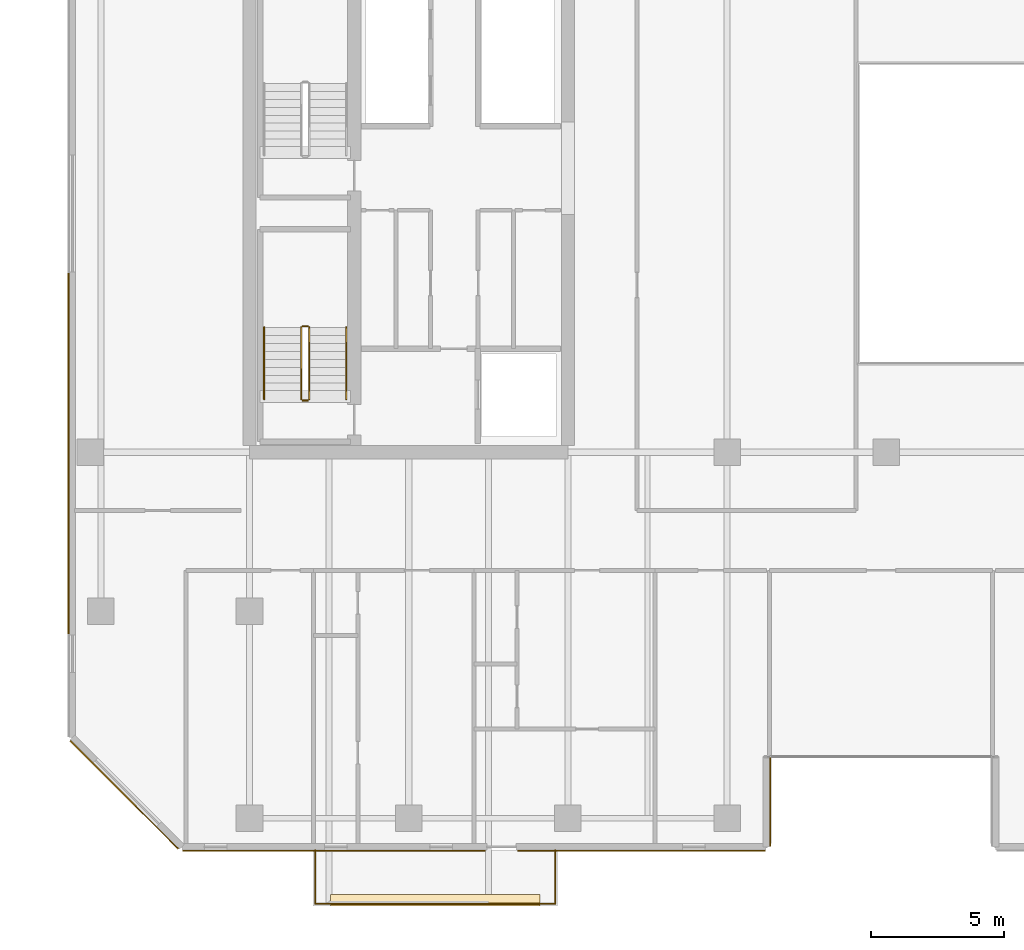
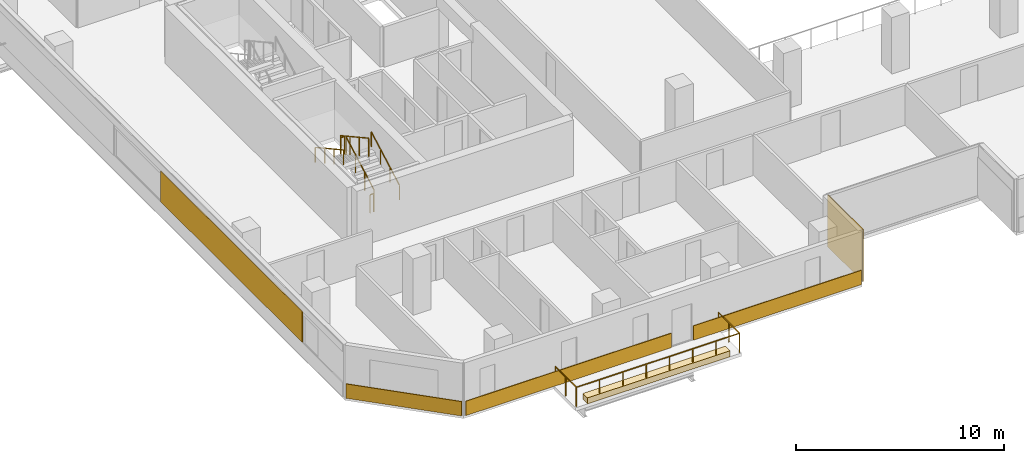
# One storey, part 18 of 23: 7 railings, 6 coverings.
"""IFC4 building model written with IfcOpenShell, lengths in metres."""

import ifcopenshell
import ifcopenshell.guid

model = None  # the IFC model being written
_history = None  # IfcOwnerHistory: only IFC2X3 demands one
_inside = {}  # id of a spatial element -> (the spatial element, [elements in it])
_under = {}  # id of a project, library or spatial element -> (it, [spatial elements below it])
_declared = {}  # id of a project -> (the project, [libraries it declares])
_typed = {}  # id of a type object -> (the type object, [elements of that type])
_made_of = {}  # id of a material, layer set ... -> (it, [elements and type objects made of it])


def new_model(schema):
    """Start an empty IFC model of exactly this schema.

    Asked for "IFC4X3", IfcOpenShell would pick the latest addendum, in which some entities
    have other attributes; the version numbers below select the first issue.
    IFC2X3 requires an IfcOwnerHistory on every rooted entity: one is made here for all.
    """
    global model, _history
    if schema == "IFC4X3":
        model = ifcopenshell.file(schema_version=(4, 3, 0, 0))
    else:
        model = ifcopenshell.file(schema=schema)
    _inside.clear()
    _under.clear()
    _declared.clear()
    _typed.clear()
    _made_of.clear()
    _history = None
    if model.schema == "IFC2X3":
        org = make("IfcOrganization", Name="unknown")
        user = make(
            "IfcPersonAndOrganization",
            ThePerson=make("IfcPerson", FamilyName="unknown"),
            TheOrganization=org,
        )
        app = make(
            "IfcApplication",
            ApplicationDeveloper=org,
            Version="unknown",
            ApplicationFullName="unknown",
            ApplicationIdentifier="unknown",
        )
        _history = make(
            "IfcOwnerHistory",
            OwningUser=user,
            OwningApplication=app,
            ChangeAction="ADDED",
            CreationDate=0,
        )
    return model


def make(cls, **values):
    """One entity of the class cls with the attributes given. An attribute that is None is left unset."""
    return model.create_entity(
        cls, **{name: value for name, value in values.items() if value is not None}
    )


def rooted(cls, **values):
    """An entity with a GlobalId (a new one), such as an element, a storey or a relation."""
    return make(cls, GlobalId=ifcopenshell.guid.new(), OwnerHistory=_history, **values)


def si_unit(unit_type, name, prefix=None):
    """IfcSIUnit, for example si_unit("LENGTHUNIT", "METRE", prefix="MILLI")."""
    return make("IfcSIUnit", UnitType=unit_type, Prefix=prefix, Name=name)


def assignment(units):
    """IfcUnitAssignment: the units of a project."""
    return None if units is None else make("IfcUnitAssignment", Units=units)


def point(xyz):
    """IfcCartesianPoint."""
    return None if xyz is None else make("IfcCartesianPoint", Coordinates=xyz)


def direction(xyz):
    """IfcDirection."""
    return None if xyz is None else make("IfcDirection", DirectionRatios=xyz)


def frame(location, z_axis=None, x_axis=None):
    """IfcAxis2Placement3D, a coordinate frame: its origin and axes. An axis left out is left unset."""
    return make(
        "IfcAxis2Placement3D",
        Location=point(location),
        Axis=direction(z_axis),
        RefDirection=direction(x_axis),
    )


def frame_2d(location, x_axis=None):
    """IfcAxis2Placement2D, a coordinate frame in the plane: its origin and x axis."""
    return make(
        "IfcAxis2Placement2D", Location=point(location), RefDirection=direction(x_axis)
    )


def origin():
    """The frame at (0, 0, 0) with its axes left unset."""
    return frame((0.0, 0.0, 0.0))


def origin_2d():
    """The frame at (0, 0) in the plane with its x axis left unset."""
    return frame_2d((0.0, 0.0))


def place(relative_to, where):
    """IfcLocalPlacement: puts the frame where relative to a parent placement (None: the world)."""
    return make(
        "IfcLocalPlacement", PlacementRelTo=relative_to, RelativePlacement=where
    )


def context(
    kind, dimensions, precision=None, world=None, true_north=None, identifier=None
):
    """IfcGeometricRepresentationContext, for example the 3D "Model" context."""
    return make(
        "IfcGeometricRepresentationContext",
        ContextIdentifier=identifier,
        ContextType=kind,
        CoordinateSpaceDimension=dimensions,
        Precision=precision,
        WorldCoordinateSystem=world,
        TrueNorth=true_north,
    )


def subcontext(parent, identifier, kind, view, scale=None):
    """IfcGeometricRepresentationSubContext, for example "Body" below "Model"."""
    return make(
        "IfcGeometricRepresentationSubContext",
        ContextIdentifier=identifier,
        ContextType=kind,
        ParentContext=parent,
        TargetScale=scale,
        TargetView=view,
    )


def project(units=None, contexts=None):
    """IfcProject with its units and contexts."""
    return rooted(
        "IfcProject",
        Name="project",
        RepresentationContexts=contexts,
        UnitsInContext=assignment(units),
    )


def spatial(cls, under=None, at=None, **own):
    """A site, building, storey or space (cls), placed at a placement, below another one or the project."""
    s = rooted(cls, ObjectPlacement=at, **own)
    if under is not None:
        _under.setdefault(under.id(), (under, []))[1].append(s)
    return s


def polyline(points):
    """IfcPolyline through the points."""
    return make("IfcPolyline", Points=[point(p) for p in points])


def profile(cls, at=None, kind="AREA", **sizes):
    """A parametric profile (cls). Its sizes go by their IFC names, for example OverallWidth=200.0."""
    return make(cls, ProfileType=kind, Position=at, **sizes)


def rectangle(**sizes):
    """IfcRectangleProfileDef."""
    return profile("IfcRectangleProfileDef", **sizes)


def outline(outer, holes=None, kind="AREA"):
    """IfcArbitraryClosedProfileDef: a profile drawn as a closed curve; with holes, ...WithVoids."""
    if holes is None:
        return make("IfcArbitraryClosedProfileDef", ProfileType=kind, OuterCurve=outer)
    return make(
        "IfcArbitraryProfileDefWithVoids",
        ProfileType=kind,
        OuterCurve=outer,
        InnerCurves=holes,
    )


def extrude(swept, where, along, depth):
    """IfcExtrudedAreaSolid: the profile swept, set in the frame where, extruded along a direction by depth."""
    return make(
        "IfcExtrudedAreaSolid",
        SweptArea=swept,
        Position=where,
        ExtrudedDirection=direction(along),
        Depth=depth,
    )


def shape(context_of_items, identifier, shape_type, items):
    """IfcShapeRepresentation: the items that make up one representation, for example the "Body"."""
    return make(
        "IfcShapeRepresentation",
        ContextOfItems=context_of_items,
        RepresentationIdentifier=identifier,
        RepresentationType=shape_type,
        Items=items,
    )


def material(Name=None, Category=None):
    """IfcMaterial."""
    return make("IfcMaterial", Name=Name, Category=Category)


def layer(
    of_material, thickness, ventilated=None, Name=None, Category=None, Priority=None
):
    """IfcMaterialLayer: one layer of a wall or slab, of a material (None: an air gap)."""
    return make(
        "IfcMaterialLayer",
        Material=of_material,
        LayerThickness=thickness,
        IsVentilated=ventilated,
        Name=Name,
        Category=Category,
        Priority=Priority,
    )


def layer_set(layers, Name=None):
    """IfcMaterialLayerSet."""
    return make("IfcMaterialLayerSet", MaterialLayers=layers, LayerSetName=Name)


def made_of(thing, what):
    """Note that an element or type object is made of a material, layer set ...; save() writes the relation."""
    if what is not None:
        _made_of.setdefault(what.id(), (what, []))[1].append(thing)
    return thing


def type_object(cls, material=None, **own):
    """A type object (cls), such as IfcWallType, which elements share."""
    return made_of(rooted(cls, **own), material)


def element(
    cls,
    number,
    at=None,
    inside=None,
    cuts=None,
    type_object=None,
    material=None,
    context=None,
    identifier="Body",
    shape_type=None,
    held_by="IfcProductDefinitionShape",
    body=None,
    shapes=None,
    **own,
):
    """One element of the class cls, such as IfcWall. Its Tag is "e" and its number.

    at: its placement. inside: the storey or other place that contains it. cuts: it is an
    opening in that element (IfcRelVoidsElement). A single representation is given by context,
    identifier, shape_type and body (its items); several are given by shapes. held_by: the class
    of the entity that holds the representations. save() writes the other relations.
    """
    e = rooted(cls, Tag="e%d" % number, ObjectPlacement=at, **own)
    if body is not None:
        shapes = [shape(context, identifier, shape_type, body)]
    if shapes is not None:
        e.Representation = make(held_by, Representations=shapes)
    if inside is not None:
        _inside.setdefault(inside.id(), (inside, []))[1].append(e)
    if cuts is not None:
        rooted(
            "IfcRelVoidsElement", RelatingBuildingElement=cuts, RelatedOpeningElement=e
        )
    if type_object is not None:
        _typed.setdefault(type_object.id(), (type_object, []))[1].append(e)
    return made_of(e, material)


def aggregate(whole, parts):
    """IfcRelAggregates: a whole, such as a stair, and the parts it consists of."""
    return rooted("IfcRelAggregates", RelatingObject=whole, RelatedObjects=parts)


def save(model, path):
    """Write the relations noted so far, then the file.

    IfcRelAggregates (storeys below a building ...), IfcRelContainedInSpatialStructure (elements
    in a storey), IfcRelDefinesByType, IfcRelAssociatesMaterial and IfcRelDeclares: one each for
    every whole, place, type object, material and project.
    """
    for whole, parts in _under.values():
        aggregate(whole, parts)
    for where, things in _inside.values():
        rooted(
            "IfcRelContainedInSpatialStructure",
            RelatedElements=things,
            RelatingStructure=where,
        )
    for kind, things in _typed.values():
        rooted("IfcRelDefinesByType", RelatedObjects=things, RelatingType=kind)
    for what, things in _made_of.values():
        rooted("IfcRelAssociatesMaterial", RelatedObjects=things, RelatingMaterial=what)
    for by, libraries in _declared.values():
        rooted("IfcRelDeclares", RelatingContext=by, RelatedDefinitions=libraries)
    model.write(path)


model = new_model("IFC4")

# Units and contexts
model_context = context("Model", 3, precision=1e-05, world=origin(), true_north=direction((0.0, 1.0)))
body_context = subcontext(model_context, "Body", "Model", "MODEL_VIEW")
ifc_project = project(units=[si_unit("LENGTHUNIT", "METRE"), si_unit("AREAUNIT", "SQUARE_METRE"), si_unit("VOLUMEUNIT", "CUBIC_METRE"), si_unit("PLANEANGLEUNIT", "RADIAN"), si_unit("MASSUNIT", "GRAM", prefix="KILO")], contexts=[model_context])

# Site, building, storey
site_placement = place(None, origin())
site = spatial("IfcSite", under=ifc_project, at=site_placement, CompositionType="ELEMENT")
building_placement = place(site_placement, origin())
building = spatial("IfcBuilding", under=site, at=building_placement, Name="Tanjung Sevakor Pilgrim Tower", CompositionType="ELEMENT")
storey_placement = place(building_placement, frame((0.0, 0.0, 88.77001953125)))
storey = spatial("IfcBuildingStorey", under=building, at=storey_placement, Name="L24", CompositionType="ELEMENT", Elevation=88.77001953125)

# Coverings
ifc_material_1 = material(Name="Reconstructed Limestone Cladding", Category="masonry")
ifc_layer_1 = layer(ifc_material_1, 0.044921875)
ifc_layer_set_1 = layer_set([ifc_layer_1], Name="COV-CLAD-LIMESTONE")
covering_type_1 = type_object("IfcCoveringType", Name="COV-CLAD-LIMESTONE", PredefinedType="CLADDING", material=ifc_layer_set_1)
covering_1_placement = place(storey_placement, frame((27.19091796875, 9.577392578125, 0.009765625), z_axis=(0.0, 0.0, 1.0), x_axis=(1.0, 0.0, 0.0)))
element("IfcCovering", 1, at=covering_1_placement, inside=storey, type_object=covering_type_1, Name="L24 Warm Limestone Sill Spandrel EW-L24-MAIN-1-1", PredefinedType="CLADDING", context=body_context, shape_type="SweptSolid", body=[
    extrude(rectangle(XDim=11.398193359375, YDim=0.044921875, at=origin_2d()), origin(), (0.0, 0.0, 1.0), 0.840087890625),
])
covering_2_placement = place(storey_placement, frame((38.7724609375, 9.577392578125, 0.009765625), z_axis=(0.0, 0.0, 1.0), x_axis=(1.0, 0.0, 0.0)))
element("IfcCovering", 2, at=covering_2_placement, inside=storey, type_object=covering_type_1, Name="L24 Warm Limestone Sill Spandrel EW-L24-MAIN-1-2", PredefinedType="CLADDING", context=body_context, shape_type="SweptSolid", body=[
    extrude(rectangle(XDim=9.324951171875, YDim=0.044921875, at=origin_2d()), origin(), (0.0, 0.0, 1.0), 0.840087890625),
])
covering_3_placement = place(storey_placement, frame((43.62255859375, 11.425048828125, 0.02001953125), z_axis=(0.0, 0.0, 1.0), x_axis=(0.0, 1.0, 0.0)))
element("IfcCovering", 3, at=covering_3_placement, inside=storey, type_object=covering_type_1, Name="L24 Warm Limestone Wall Cladding EW-L24-MAIN-2", PredefinedType="CLADDING", context=body_context, shape_type="SweptSolid", body=[
    extrude(rectangle(XDim=3.360107421875, YDim=0.044921875, at=origin_2d()), origin(), (0.0, 0.0, 1.0), 3.0400390625),
])
covering_4_placement = place(storey_placement, frame((17.177490234375, 24.552978515625, 0.849853515625), z_axis=(0.0, 0.0, 1.0), x_axis=(0.0, -1.0, 0.0)))
element("IfcCovering", 4, at=covering_4_placement, inside=storey, type_object=covering_type_1, Name="L24 Warm Limestone Pier Panel EW-L24-MAIN-15-2", PredefinedType="CLADDING", context=body_context, shape_type="SweptSolid", body=[
    extrude(rectangle(XDim=13.593994140625, YDim=0.044921875, at=origin_2d()), origin(), (0.0, 0.0, 1.0), 1.81005859375),
])
covering_5_placement = place(storey_placement, frame((19.2841796875, 11.68408203125, 0.009765625), z_axis=(0.0, 0.0, 1.0), x_axis=(0.707106781187, -0.707106781187, 0.0)))
element("IfcCovering", 5, at=covering_5_placement, inside=storey, type_object=covering_type_1, Name="L24 Warm Limestone Sill Spandrel EW-CHM-L24-MAIN-15-1", PredefinedType="CLADDING", context=body_context, shape_type="SweptSolid", body=[
    extrude(rectangle(XDim=5.756103515625, YDim=0.044921875, at=origin_2d()), origin(), (0.0, 0.0, 1.0), 0.840087890625),
])
ifc_material_2 = material(Name="Vegetated Modular Planter Assembly", Category="organic")
ifc_layer_2 = layer(ifc_material_2, 0.35009765625)
ifc_layer_set_2 = layer_set([ifc_layer_2], Name="COV-GRN-TROUGH")
covering_type_2 = type_object("IfcCoveringType", Name="COV-GRN-TROUGH", PredefinedType="CLADDING", material=ifc_layer_set_2)
covering_6_placement = place(storey_placement, origin())
element("IfcCovering", 6, at=covering_6_placement, inside=storey, type_object=covering_type_2, Name="L24 Planted Landscape Hedge Trough BGRN-L24-MAIN-S1", PredefinedType="CLADDING", context=body_context, shape_type="SweptSolid", body=[
    extrude(outline(polyline([(27.050048828125, 7.5), (34.949951171875, 7.5), (34.949951171875, 7.93994140625), (27.050048828125, 7.93994140625), (27.050048828125, 7.5)])), origin(), (0.0, 0.0, 1.0), 0.35009765625),
])

# Railings
ifc_material_3 = material(Name="Laminated Glass and Aluminium", Category="aluminium")
railing_type_1 = type_object("IfcRailingType", Name="RL-BAL-BALUST", PredefinedType="BALUSTRADE", material=ifc_material_3)
railing_1_placement = place(storey_placement, frame((26.47998046875, 9.60009765625, 0.0)))
element("IfcRailing", 7, at=railing_1_placement, inside=storey, type_object=railing_type_1, Name="L24 Loggia Balustrade MAIN-S1", PredefinedType="BALUSTRADE", context=body_context, shape_type="SweptSolid", body=[
    extrude(rectangle(XDim=0.0479, YDim=0.0479), frame((0.0, 0.0, 1.1259765625), z_axis=(0.0, -1.0, 0.0), x_axis=(1.0, 0.0, 0.0)), (0.0, 0.0, 1.0), 2.02001953125),
    extrude(rectangle(XDim=0.0479, YDim=0.0479), frame((0.0, -2.02001953125, 1.1259765625), z_axis=(1.0, 0.0, 0.0), x_axis=(0.0, 1.0, 0.0)), (0.0, 0.0, 1.0), 9.0400390625),
    extrude(rectangle(XDim=0.0479, YDim=0.0479), frame((9.0400390625, -2.02001953125, 1.1259765625), z_axis=(0.0, 1.0, 0.0), x_axis=(-1.0, 0.0, 0.0)), (0.0, 0.0, 1.0), 2.02001953125),
    extrude(rectangle(XDim=0.042, YDim=0.042), origin(), (0.0, 0.0, 1.0), 1.101806640625),
    extrude(rectangle(XDim=0.042, YDim=0.042), frame((0.0, -1.010009765625, 0.0)), (0.0, 0.0, 1.0), 1.101806640625),
    extrude(rectangle(XDim=0.042, YDim=0.042), frame((0.0, -2.02001953125, 0.0)), (0.0, 0.0, 1.0), 1.101806640625),
    extrude(rectangle(XDim=0.042, YDim=0.042), frame((1.29150390625, -2.02001953125, 0.0)), (0.0, 0.0, 1.0), 1.101806640625),
    extrude(rectangle(XDim=0.042, YDim=0.042), frame((2.582763671875, -2.02001953125, 0.0)), (0.0, 0.0, 1.0), 1.101806640625),
    extrude(rectangle(XDim=0.042, YDim=0.042), frame((3.874267578125, -2.02001953125, 0.0)), (0.0, 0.0, 1.0), 1.101806640625),
    extrude(rectangle(XDim=0.042, YDim=0.042), frame((5.165771484375, -2.02001953125, 0.0)), (0.0, 0.0, 1.0), 1.101806640625),
    extrude(rectangle(XDim=0.042, YDim=0.042), frame((6.457275390625, -2.02001953125, 0.0)), (0.0, 0.0, 1.0), 1.101806640625),
    extrude(rectangle(XDim=0.042, YDim=0.042), frame((7.74853515625, -2.02001953125, 0.0)), (0.0, 0.0, 1.0), 1.101806640625),
    extrude(rectangle(XDim=0.042, YDim=0.042), frame((9.0400390625, -2.02001953125, 0.0)), (0.0, 0.0, 1.0), 1.101806640625),
    extrude(rectangle(XDim=0.042, YDim=0.042), frame((9.0400390625, -1.010009765625, 0.0)), (0.0, 0.0, 1.0), 1.101806640625),
    extrude(rectangle(XDim=0.042, YDim=0.042), frame((9.0400390625, 0.0, 0.0)), (0.0, 0.0, 1.0), 1.101806640625),
])
ifc_material_4 = material(Name="Steel S355J2", Category="steel")
railing_type_2 = type_object("IfcRailingType", Name="RL-STAIR-GUARD", PredefinedType="GUARDRAIL", material=ifc_material_4)
railing_2_placement = place(storey_placement, frame((26.25, 26.60009765625, 0.1650390625)))
element("IfcRailing", 8, at=railing_2_placement, inside=storey, type_object=railing_type_2, Name="L24 TS-W1 stair guard 1", PredefinedType="GUARDRAIL", context=body_context, shape_type="SweptSolid", body=[
    extrude(rectangle(XDim=0.0479, YDim=0.0479), frame((0.0, 0.0, 1.076171875), z_axis=(0.0, 0.876230963923, 0.481891375584), x_axis=(-1.0, 0.0, 0.0)), (0.0, 0.0, 1.0), 3.081298828125),
    extrude(rectangle(XDim=0.042, YDim=0.042), origin(), (0.0, 0.0, 1.0), 1.052001953125),
    extrude(rectangle(XDim=0.042, YDim=0.042), frame((0.0, 0.89990234375, 0.494873046875)), (0.0, 0.0, 1.0), 1.052001953125),
    extrude(rectangle(XDim=0.042, YDim=0.042), frame((0.0, 1.800048828125, 0.989990234375)), (0.0, 0.0, 1.0), 1.052001953125),
    extrude(rectangle(XDim=0.042, YDim=0.042), frame((0.0, 2.699951171875, 1.48486328125)), (0.0, 0.0, 1.0), 1.052001953125),
])
railing_3_placement = place(storey_placement, frame((26.199951171875, 29.35009765625, 1.64990234375)))
element("IfcRailing", 9, at=railing_3_placement, inside=storey, type_object=railing_type_2, Name="L24 TS-W1 stair guard 2", PredefinedType="GUARDRAIL", context=body_context, shape_type="SweptSolid", body=[
    extrude(rectangle(XDim=0.0479, YDim=0.0479), frame((0.0, 0.0, 1.076171875), z_axis=(-1.0, 0.0, 0.0), x_axis=(0.0, -1.0, 0.0)), (0.0, 0.0, 1.0), 0.199951171875),
    extrude(rectangle(XDim=0.042, YDim=0.042), origin(), (0.0, 0.0, 1.0), 1.052001953125),
    extrude(rectangle(XDim=0.042, YDim=0.042), frame((-0.199951171875, 0.0, 0.0)), (0.0, 0.0, 1.0), 1.052001953125),
])
railing_4_placement = place(storey_placement, frame((25.949951171875, 29.300048828125, 1.81494140625)))
element("IfcRailing", 10, at=railing_4_placement, inside=storey, type_object=railing_type_2, Name="L24 TS-W1 stair guard 3", PredefinedType="GUARDRAIL", context=body_context, shape_type="SweptSolid", body=[
    extrude(rectangle(XDim=0.0479, YDim=0.0479), frame((0.0, 0.0, 1.076171875), z_axis=(0.0, -0.876197507361, 0.481952205197), x_axis=(1.0, 0.0, 0.0)), (0.0, 0.0, 1.0), 3.08154296875),
    extrude(rectangle(XDim=0.042, YDim=0.042), origin(), (0.0, 0.0, 1.0), 1.052001953125),
    extrude(rectangle(XDim=0.042, YDim=0.042), frame((0.0, -0.89990234375, 0.4951171875)), (0.0, 0.0, 1.0), 1.052001953125),
    extrude(rectangle(XDim=0.042, YDim=0.042), frame((0.0, -1.800048828125, 0.989990234375)), (0.0, 0.0, 1.0), 1.052001953125),
    extrude(rectangle(XDim=0.042, YDim=0.042), frame((0.0, -2.699951171875, 1.485107421875)), (0.0, 0.0, 1.0), 1.052001953125),
])
railing_5_placement = place(storey_placement, frame((26.199951171875, 26.550048828125, 0.0)))
element("IfcRailing", 11, at=railing_5_placement, inside=storey, type_object=railing_type_2, Name="L24 TS-W1 stair guard 4", PredefinedType="GUARDRAIL", context=body_context, shape_type="SweptSolid", body=[
    extrude(rectangle(XDim=0.0479, YDim=0.0479), frame((0.0, 0.0, 1.076171875), z_axis=(-1.0, 0.0, 0.0), x_axis=(0.0, -1.0, 0.0)), (0.0, 0.0, 1.0), 0.199951171875),
    extrude(rectangle(XDim=0.042, YDim=0.042), origin(), (0.0, 0.0, 1.0), 1.052001953125),
    extrude(rectangle(XDim=0.042, YDim=0.042), frame((-0.199951171875, 0.0, 0.0)), (0.0, 0.0, 1.0), 1.052001953125),
])
ifc_material_5 = material(Name="Steel S355J2", Category="steel")
railing_type_3 = type_object("IfcRailingType", Name="RL-STAIR-HAND", PredefinedType="HANDRAIL", material=ifc_material_5)
railing_6_placement = place(storey_placement, frame((27.64990234375, 26.60009765625, 0.1650390625)))
element("IfcRailing", 12, at=railing_6_placement, inside=storey, type_object=railing_type_3, Name="L24 TS-W1 stair handrail 1", PredefinedType="HANDRAIL", context=body_context, shape_type="SweptSolid", body=[
    extrude(rectangle(XDim=0.0479, YDim=0.0479), frame((0.0, 0.0, 0.8759765625), z_axis=(0.0, 0.876230963923, 0.481891375584), x_axis=(-1.0, 0.0, 0.0)), (0.0, 0.0, 1.0), 3.081298828125),
    extrude(rectangle(XDim=0.042, YDim=0.042), origin(), (0.0, 0.0, 1.0), 0.851806640625),
    extrude(rectangle(XDim=0.042, YDim=0.042), frame((0.0, 0.89990234375, 0.494873046875)), (0.0, 0.0, 1.0), 0.851806640625),
    extrude(rectangle(XDim=0.042, YDim=0.042), frame((0.0, 1.800048828125, 0.989990234375)), (0.0, 0.0, 1.0), 0.851806640625),
    extrude(rectangle(XDim=0.042, YDim=0.042), frame((0.0, 2.699951171875, 1.48486328125)), (0.0, 0.0, 1.0), 0.851806640625),
])
railing_7_placement = place(storey_placement, frame((24.550048828125, 29.300048828125, 1.81494140625)))
element("IfcRailing", 13, at=railing_7_placement, inside=storey, type_object=railing_type_3, Name="L24 TS-W1 stair handrail 2", PredefinedType="HANDRAIL", context=body_context, shape_type="SweptSolid", body=[
    extrude(rectangle(XDim=0.0479, YDim=0.0479), frame((0.0, 0.0, 0.8759765625), z_axis=(0.0, -0.876197507361, 0.481952205197), x_axis=(1.0, 0.0, 0.0)), (0.0, 0.0, 1.0), 3.08154296875),
    extrude(rectangle(XDim=0.042, YDim=0.042), origin(), (0.0, 0.0, 1.0), 0.851806640625),
    extrude(rectangle(XDim=0.042, YDim=0.042), frame((0.0, -0.89990234375, 0.4951171875)), (0.0, 0.0, 1.0), 0.851806640625),
    extrude(rectangle(XDim=0.042, YDim=0.042), frame((0.0, -1.800048828125, 0.989990234375)), (0.0, 0.0, 1.0), 0.851806640625),
    extrude(rectangle(XDim=0.042, YDim=0.042), frame((0.0, -2.699951171875, 1.485107421875)), (0.0, 0.0, 1.0), 0.851806640625),
])

save(model, "model.ifc")
